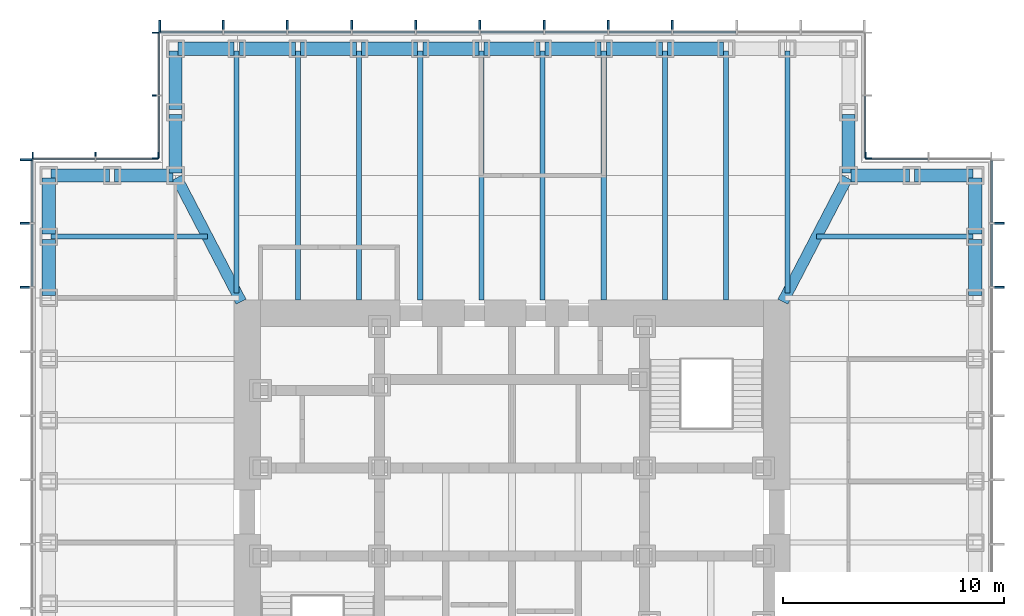
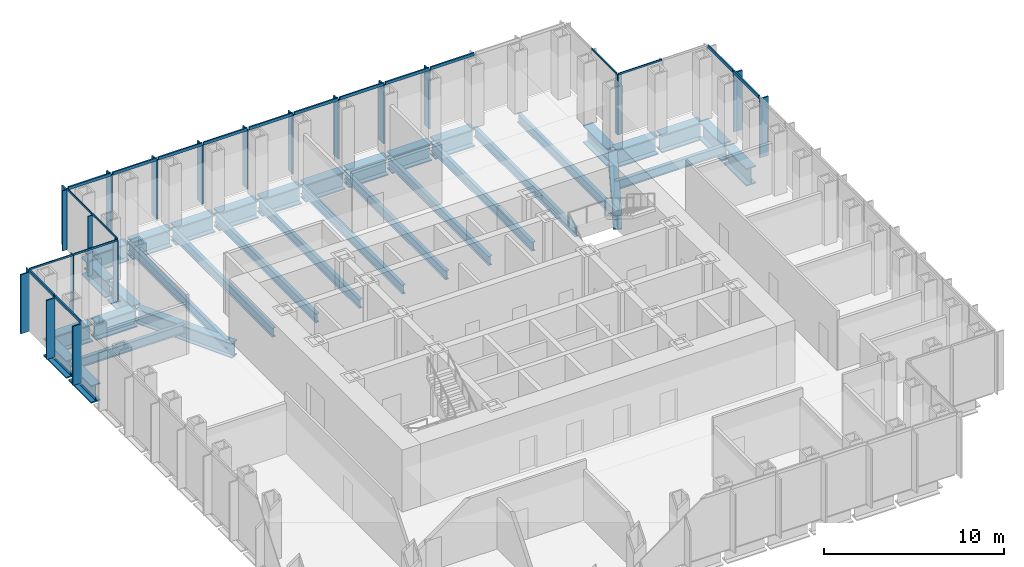
# One storey, part 5 of 16: 41 members, 34 beams, 7 elements without a shape of their own.
"""IFC4 building model written with IfcOpenShell, lengths in metres."""

from ifc_helpers import new_model, si_unit, direction, frame, origin, origin_2d, place, context, subcontext, project, spatial, rectangle, i_section, extrude, material, material_profile, profile_set, type_object, element, aggregate, save


model = new_model("IFC4")

# Units and contexts
model_context = context("Model", 3, precision=1e-05, world=origin(), true_north=direction((0.0, 1.0)))
body_context = subcontext(model_context, "Body", "Model", "MODEL_VIEW")
ifc_project = project(units=[si_unit("LENGTHUNIT", "METRE"), si_unit("AREAUNIT", "SQUARE_METRE"), si_unit("VOLUMEUNIT", "CUBIC_METRE"), si_unit("PLANEANGLEUNIT", "RADIAN"), si_unit("MASSUNIT", "GRAM", prefix="KILO")], contexts=[model_context])

# Site, building, storey
site_placement = place(None, origin())
site = spatial("IfcSite", under=ifc_project, at=site_placement, CompositionType="ELEMENT")
building_placement = place(site_placement, origin())
building = spatial("IfcBuilding", under=site, at=building_placement, Name="Daluyong Arena Tower", CompositionType="ELEMENT")
storey_placement = place(building_placement, frame((0.0, 0.0, 267.10009765625)))
storey = spatial("IfcBuildingStorey", under=building, at=storey_placement, Name="L60", CompositionType="ELEMENT", Elevation=267.10009765625)

# Curtain wall, members
ifc_material_1 = material(Name="Bronze anodised aluminium and glass", Category="aluminium")
curtain_wall_type_1 = type_object("IfcCurtainWallType", Name="Curtain wall CW4", PredefinedType="USERDEFINED", material=ifc_material_1)
curtain_wall_1_placement = place(storey_placement, origin())
curtain_wall_1 = element("IfcCurtainWall", 1, at=curtain_wall_1_placement, inside=storey, type_object=curtain_wall_type_1, Name="curtain wall L60 E", ObjectType="UNITISED CURTAIN WALL", PredefinedType="USERDEFINED")
ifc_material_2 = material(Name="Bronze anodised aluminium fin", Category="aluminium")
ifc_material_profile_1 = material_profile(ifc_material_2, rectangle(XDim=0.550048828125, YDim=0.090087890625, at=origin_2d()))
ifc_profile_set_1 = profile_set([ifc_material_profile_1], Name="Bronze anodised aluminium fin")
member_type_1 = type_object("IfcMemberType", Name="CW4 bronze fin 550x90", PredefinedType="MULLION", material=ifc_profile_set_1)
member_1_placement = place(storey_placement, frame((78.02490234375, 90.181884765625, 0.0), z_axis=(0.0, 0.0, 1.0), x_axis=(-1.0, 0.0, 0.0)))
member_1 = element("IfcMember", 2, at=member_1_placement, type_object=member_type_1, Name="curtain wall L60 E fin 10", PredefinedType="MULLION", context=body_context, shape_type="SweptSolid", body=[
    extrude(rectangle(XDim=0.550048828125, YDim=0.090087890625, at=origin_2d()), origin(), (0.0, 0.0, 1.0), 4.0),
])
member_2_placement = place(storey_placement, frame((78.02490234375, 93.0908203125, 0.0), z_axis=(0.0, 0.0, 1.0), x_axis=(-1.0, 0.0, 0.0)))
member_2 = element("IfcMember", 3, at=member_2_placement, type_object=member_type_1, Name="curtain wall L60 E fin 11", PredefinedType="MULLION", context=body_context, shape_type="SweptSolid", body=[
    extrude(rectangle(XDim=0.550048828125, YDim=0.090087890625, at=origin_2d()), origin(), (0.0, 0.0, 1.0), 4.0),
])

curtain_wall_2_placement = place(storey_placement, origin())
curtain_wall_2 = element("IfcCurtainWall", 4, at=curtain_wall_2_placement, inside=storey, type_object=curtain_wall_type_1, Name="curtain wall L60 N", ObjectType="UNITISED CURTAIN WALL", PredefinedType="USERDEFINED")
member_3_placement = place(storey_placement, frame((63.272705078125, 102.02490234375, 0.0), z_axis=(0.0, 0.0, 1.0), x_axis=(0.0, -1.0, 0.0)))
member_3 = element("IfcMember", 5, at=member_3_placement, type_object=member_type_1, Name="curtain wall L60 N fin 4", PredefinedType="MULLION", context=body_context, shape_type="SweptSolid", body=[
    extrude(rectangle(XDim=0.550048828125, YDim=0.090087890625, at=origin_2d()), origin(), (0.0, 0.0, 1.0), 4.0),
])
member_4_placement = place(storey_placement, frame((60.363525390625, 102.02490234375, 0.0), z_axis=(0.0, 0.0, 1.0), x_axis=(0.0, -1.0, 0.0)))
member_4 = element("IfcMember", 6, at=member_4_placement, type_object=member_type_1, Name="curtain wall L60 N fin 5", PredefinedType="MULLION", context=body_context, shape_type="SweptSolid", body=[
    extrude(rectangle(XDim=0.550048828125, YDim=0.090087890625, at=origin_2d()), origin(), (0.0, 0.0, 1.0), 4.0),
])
member_5_placement = place(storey_placement, frame((57.45458984375, 102.02490234375, 0.0), z_axis=(0.0, 0.0, 1.0), x_axis=(0.0, -1.0, 0.0)))
member_5 = element("IfcMember", 7, at=member_5_placement, type_object=member_type_1, Name="curtain wall L60 N fin 6", PredefinedType="MULLION", context=body_context, shape_type="SweptSolid", body=[
    extrude(rectangle(XDim=0.550048828125, YDim=0.090087890625, at=origin_2d()), origin(), (0.0, 0.0, 1.0), 4.0),
])
member_6_placement = place(storey_placement, frame((54.54541015625, 102.02490234375, 0.0), z_axis=(0.0, 0.0, 1.0), x_axis=(0.0, -1.0, 0.0)))
member_6 = element("IfcMember", 8, at=member_6_placement, type_object=member_type_1, Name="curtain wall L60 N fin 7", PredefinedType="MULLION", context=body_context, shape_type="SweptSolid", body=[
    extrude(rectangle(XDim=0.550048828125, YDim=0.090087890625, at=origin_2d()), origin(), (0.0, 0.0, 1.0), 4.0),
])
member_7_placement = place(storey_placement, frame((51.636474609375, 102.02490234375, 0.0), z_axis=(0.0, 0.0, 1.0), x_axis=(0.0, -1.0, 0.0)))
member_7 = element("IfcMember", 9, at=member_7_placement, type_object=member_type_1, Name="curtain wall L60 N fin 8", PredefinedType="MULLION", context=body_context, shape_type="SweptSolid", body=[
    extrude(rectangle(XDim=0.550048828125, YDim=0.090087890625, at=origin_2d()), origin(), (0.0, 0.0, 1.0), 4.0),
])
member_8_placement = place(storey_placement, frame((48.727294921875, 102.02490234375, 0.0), z_axis=(0.0, 0.0, 1.0), x_axis=(0.0, -1.0, 0.0)))
member_8 = element("IfcMember", 10, at=member_8_placement, type_object=member_type_1, Name="curtain wall L60 N fin 9", PredefinedType="MULLION", context=body_context, shape_type="SweptSolid", body=[
    extrude(rectangle(XDim=0.550048828125, YDim=0.090087890625, at=origin_2d()), origin(), (0.0, 0.0, 1.0), 4.0),
])
member_9_placement = place(storey_placement, frame((45.818115234375, 102.02490234375, 0.0), z_axis=(0.0, 0.0, 1.0), x_axis=(0.0, -1.0, 0.0)))
member_9 = element("IfcMember", 11, at=member_9_placement, type_object=member_type_1, Name="curtain wall L60 N fin 10", PredefinedType="MULLION", context=body_context, shape_type="SweptSolid", body=[
    extrude(rectangle(XDim=0.550048828125, YDim=0.090087890625, at=origin_2d()), origin(), (0.0, 0.0, 1.0), 4.0),
])
member_10_placement = place(storey_placement, frame((42.9091796875, 102.02490234375, 0.0), z_axis=(0.0, 0.0, 1.0), x_axis=(0.0, -1.0, 0.0)))
member_10 = element("IfcMember", 12, at=member_10_placement, type_object=member_type_1, Name="curtain wall L60 N fin 11", PredefinedType="MULLION", context=body_context, shape_type="SweptSolid", body=[
    extrude(rectangle(XDim=0.550048828125, YDim=0.090087890625, at=origin_2d()), origin(), (0.0, 0.0, 1.0), 4.0),
])
member_11_placement = place(storey_placement, frame((40.044921875, 102.02490234375, 0.0), z_axis=(0.0, 0.0, 1.0), x_axis=(0.0, -1.0, 0.0)))
member_11 = element("IfcMember", 13, at=member_11_placement, type_object=member_type_1, Name="curtain wall L60 N fin 12", PredefinedType="MULLION", context=body_context, shape_type="SweptSolid", body=[
    extrude(rectangle(XDim=0.550048828125, YDim=0.090087890625, at=origin_2d()), origin(), (0.0, 0.0, 1.0), 4.0),
])

curtain_wall_3_placement = place(storey_placement, origin())
curtain_wall_3 = element("IfcCurtainWall", 14, at=curtain_wall_3_placement, inside=storey, type_object=curtain_wall_type_1, Name="curtain wall L60 W", ObjectType="UNITISED CURTAIN WALL", PredefinedType="USERDEFINED")
member_12_placement = place(storey_placement, frame((33.97509765625, 95.955078125, 0.0), z_axis=(0.0, 0.0, 1.0), x_axis=(1.0, 0.0, 0.0)))
member_12 = element("IfcMember", 15, at=member_12_placement, type_object=member_type_1, Name="curtain wall L60 W fin 1", PredefinedType="MULLION", context=body_context, shape_type="SweptSolid", body=[
    extrude(rectangle(XDim=0.550048828125, YDim=0.090087890625, at=origin_2d()), origin(), (0.0, 0.0, 1.0), 4.0),
])
member_13_placement = place(storey_placement, frame((33.97509765625, 93.0908203125, 0.0), z_axis=(0.0, 0.0, 1.0), x_axis=(1.0, 0.0, 0.0)))
member_13 = element("IfcMember", 16, at=member_13_placement, type_object=member_type_1, Name="curtain wall L60 W fin 2", PredefinedType="MULLION", context=body_context, shape_type="SweptSolid", body=[
    extrude(rectangle(XDim=0.550048828125, YDim=0.090087890625, at=origin_2d()), origin(), (0.0, 0.0, 1.0), 4.0),
])
member_14_placement = place(storey_placement, frame((33.97509765625, 90.181884765625, 0.0), z_axis=(0.0, 0.0, 1.0), x_axis=(1.0, 0.0, 0.0)))
member_14 = element("IfcMember", 17, at=member_14_placement, type_object=member_type_1, Name="curtain wall L60 W fin 3", PredefinedType="MULLION", context=body_context, shape_type="SweptSolid", body=[
    extrude(rectangle(XDim=0.550048828125, YDim=0.090087890625, at=origin_2d()), origin(), (0.0, 0.0, 1.0), 4.0),
])

# Member
ifc_material_3 = material(Name="Bronze anodised aluminium", Category="aluminium")
ifc_material_profile_2 = material_profile(ifc_material_3, rectangle(XDim=0.090087890625, YDim=0.199951171875, at=origin_2d()))
ifc_profile_set_2 = profile_set([ifc_material_profile_2], Name="Bronze anodised aluminium")
member_type_2 = type_object("IfcMemberType", Name="CW4 stack transom 200x90", PredefinedType="USERDEFINED", material=ifc_profile_set_2)
member_15_placement = place(storey_placement, frame((77.75, 90.226806640625, 4.099853515625), z_axis=(0.0, 1.0, 0.0), x_axis=(-1.0, 0.0, 0.0)))
member_15 = element("IfcMember", 18, at=member_15_placement, type_object=member_type_2, Name="curtain wall L60 E transom 10", ObjectType="TRANSOM", PredefinedType="USERDEFINED", context=body_context, shape_type="SweptSolid", body=[
    extrude(rectangle(XDim=0.090087890625, YDim=0.199951171875, at=origin_2d()), origin(), (0.0, 0.0, 1.0), 2.819091796875),
])

member_16_placement = place(storey_placement, frame((77.75, 93.135986328125, 4.099853515625), z_axis=(0.0, 1.0, 0.0), x_axis=(-1.0, 0.0, 0.0)))
member_16 = element("IfcMember", 19, at=member_16_placement, type_object=member_type_2, Name="curtain wall L60 E transom 11", ObjectType="TRANSOM", PredefinedType="USERDEFINED", context=body_context, shape_type="SweptSolid", body=[
    extrude(rectangle(XDim=0.090087890625, YDim=0.199951171875, at=origin_2d()), origin(), (0.0, 0.0, 1.0), 2.77392578125),
])

aggregate(curtain_wall_1, [member_1, member_2, member_15, member_16])

member_17_placement = place(storey_placement, frame((66.13671875, 101.75, 4.099853515625), z_axis=(-1.0, 0.0, 0.0), x_axis=(0.0, -1.0, 0.0)))
member_17 = element("IfcMember", 20, at=member_17_placement, type_object=member_type_2, Name="curtain wall L60 N transom 3", ObjectType="TRANSOM", PredefinedType="USERDEFINED", context=body_context, shape_type="SweptSolid", body=[
    extrude(rectangle(XDim=0.090087890625, YDim=0.199951171875, at=origin_2d()), origin(), (0.0, 0.0, 1.0), 2.819091796875),
])

member_18_placement = place(storey_placement, frame((63.227783203125, 101.75, 4.099853515625), z_axis=(-1.0, 0.0, 0.0), x_axis=(0.0, -1.0, 0.0)))
member_18 = element("IfcMember", 21, at=member_18_placement, type_object=member_type_2, Name="curtain wall L60 N transom 4", ObjectType="TRANSOM", PredefinedType="USERDEFINED", context=body_context, shape_type="SweptSolid", body=[
    extrude(rectangle(XDim=0.090087890625, YDim=0.199951171875, at=origin_2d()), origin(), (0.0, 0.0, 1.0), 2.819091796875),
])

member_19_placement = place(storey_placement, frame((60.318603515625, 101.75, 4.099853515625), z_axis=(-1.0, 0.0, 0.0), x_axis=(0.0, -1.0, 0.0)))
member_19 = element("IfcMember", 22, at=member_19_placement, type_object=member_type_2, Name="curtain wall L60 N transom 5", ObjectType="TRANSOM", PredefinedType="USERDEFINED", context=body_context, shape_type="SweptSolid", body=[
    extrude(rectangle(XDim=0.090087890625, YDim=0.199951171875, at=origin_2d()), origin(), (0.0, 0.0, 1.0), 2.819091796875),
])

member_20_placement = place(storey_placement, frame((57.409423828125, 101.75, 4.099853515625), z_axis=(-1.0, 0.0, 0.0), x_axis=(0.0, -1.0, 0.0)))
member_20 = element("IfcMember", 23, at=member_20_placement, type_object=member_type_2, Name="curtain wall L60 N transom 6", ObjectType="TRANSOM", PredefinedType="USERDEFINED", context=body_context, shape_type="SweptSolid", body=[
    extrude(rectangle(XDim=0.090087890625, YDim=0.199951171875, at=origin_2d()), origin(), (0.0, 0.0, 1.0), 2.81884765625),
])

member_21_placement = place(storey_placement, frame((54.50048828125, 101.75, 4.099853515625), z_axis=(-1.0, 0.0, 0.0), x_axis=(0.0, -1.0, 0.0)))
member_21 = element("IfcMember", 24, at=member_21_placement, type_object=member_type_2, Name="curtain wall L60 N transom 7", ObjectType="TRANSOM", PredefinedType="USERDEFINED", context=body_context, shape_type="SweptSolid", body=[
    extrude(rectangle(XDim=0.090087890625, YDim=0.199951171875, at=origin_2d()), origin(), (0.0, 0.0, 1.0), 2.819091796875),
])

member_22_placement = place(storey_placement, frame((51.59130859375, 101.75, 4.099853515625), z_axis=(-1.0, 0.0, 0.0), x_axis=(0.0, -1.0, 0.0)))
member_22 = element("IfcMember", 25, at=member_22_placement, type_object=member_type_2, Name="curtain wall L60 N transom 8", ObjectType="TRANSOM", PredefinedType="USERDEFINED", context=body_context, shape_type="SweptSolid", body=[
    extrude(rectangle(XDim=0.090087890625, YDim=0.199951171875, at=origin_2d()), origin(), (0.0, 0.0, 1.0), 2.819091796875),
])

member_23_placement = place(storey_placement, frame((48.682373046875, 101.75, 4.099853515625), z_axis=(-1.0, 0.0, 0.0), x_axis=(0.0, -1.0, 0.0)))
member_23 = element("IfcMember", 26, at=member_23_placement, type_object=member_type_2, Name="curtain wall L60 N transom 9", ObjectType="TRANSOM", PredefinedType="USERDEFINED", context=body_context, shape_type="SweptSolid", body=[
    extrude(rectangle(XDim=0.090087890625, YDim=0.199951171875, at=origin_2d()), origin(), (0.0, 0.0, 1.0), 2.819091796875),
])

member_24_placement = place(storey_placement, frame((45.773193359375, 101.75, 4.099853515625), z_axis=(-1.0, 0.0, 0.0), x_axis=(0.0, -1.0, 0.0)))
member_24 = element("IfcMember", 27, at=member_24_placement, type_object=member_type_2, Name="curtain wall L60 N transom 10", ObjectType="TRANSOM", PredefinedType="USERDEFINED", context=body_context, shape_type="SweptSolid", body=[
    extrude(rectangle(XDim=0.090087890625, YDim=0.199951171875, at=origin_2d()), origin(), (0.0, 0.0, 1.0), 2.819091796875),
])

member_25_placement = place(storey_placement, frame((42.864013671875, 101.75, 4.099853515625), z_axis=(-1.0, 0.0, 0.0), x_axis=(0.0, -1.0, 0.0)))
member_25 = element("IfcMember", 28, at=member_25_placement, type_object=member_type_2, Name="curtain wall L60 N transom 11", ObjectType="TRANSOM", PredefinedType="USERDEFINED", context=body_context, shape_type="SweptSolid", body=[
    extrude(rectangle(XDim=0.090087890625, YDim=0.199951171875, at=origin_2d()), origin(), (0.0, 0.0, 1.0), 2.77392578125),
])

aggregate(curtain_wall_2, [member_3, member_4, member_5, member_6, member_7, member_8, member_9, member_10, member_11, member_17, member_18, member_19, member_20, member_21, member_22, member_23, member_24, member_25])

member_26_placement = place(storey_placement, frame((34.25, 95.909912109375, 4.099853515625), z_axis=(0.0, -1.0, 0.0), x_axis=(1.0, 0.0, 0.0)))
member_26 = element("IfcMember", 29, at=member_26_placement, type_object=member_type_2, Name="curtain wall L60 W transom 1", ObjectType="TRANSOM", PredefinedType="USERDEFINED", context=body_context, shape_type="SweptSolid", body=[
    extrude(rectangle(XDim=0.090087890625, YDim=0.199951171875, at=origin_2d()), origin(), (0.0, 0.0, 1.0), 2.77392578125),
])

member_27_placement = place(storey_placement, frame((34.25, 93.0458984375, 4.099853515625), z_axis=(0.0, -1.0, 0.0), x_axis=(1.0, 0.0, 0.0)))
member_27 = element("IfcMember", 30, at=member_27_placement, type_object=member_type_2, Name="curtain wall L60 W transom 2", ObjectType="TRANSOM", PredefinedType="USERDEFINED", context=body_context, shape_type="SweptSolid", body=[
    extrude(rectangle(XDim=0.090087890625, YDim=0.199951171875, at=origin_2d()), origin(), (0.0, 0.0, 1.0), 2.819091796875),
])

aggregate(curtain_wall_3, [member_12, member_13, member_14, member_26, member_27])

# Curtain wall, member
ifc_material_4 = material(Name="Bronze anodised aluminium and glass", Category="aluminium")
curtain_wall_type_2 = type_object("IfcCurtainWallType", Name="Curtain wall CW7", PredefinedType="USERDEFINED", material=ifc_material_4)
curtain_wall_4_placement = place(storey_placement, origin())
curtain_wall_4 = element("IfcCurtainWall", 31, at=curtain_wall_4_placement, inside=storey, type_object=curtain_wall_type_2, Name="curtain wall L60 NE-N", ObjectType="UNITISED CURTAIN WALL", PredefinedType="USERDEFINED")
ifc_material_5 = material(Name="Bronze anodised aluminium fin", Category="aluminium")
ifc_material_profile_3 = material_profile(ifc_material_5, rectangle(XDim=0.300048828125, YDim=0.06005859375, at=origin_2d()))
ifc_profile_set_3 = profile_set([ifc_material_profile_3], Name="Bronze anodised aluminium fin")
member_type_3 = type_object("IfcMemberType", Name="CW7 bronze fin 300x60", PredefinedType="MULLION", material=ifc_profile_set_3)
member_28_placement = place(storey_placement, frame((72.030029296875, 96.14990234375, 0.0), z_axis=(0.0, 0.0, 1.0), x_axis=(0.0, -1.0, 0.0)))
member_28 = element("IfcMember", 32, at=member_28_placement, type_object=member_type_3, Name="curtain wall L60 NE-N fin 3", PredefinedType="MULLION", context=body_context, shape_type="SweptSolid", body=[
    extrude(rectangle(XDim=0.300048828125, YDim=0.06005859375, at=origin_2d()), origin(), (0.0, 0.0, 1.0), 4.079833984375),
])

curtain_wall_5_placement = place(storey_placement, origin())
curtain_wall_5 = element("IfcCurtainWall", 33, at=curtain_wall_5_placement, inside=storey, type_object=curtain_wall_type_2, Name="curtain wall L60 NE-E", ObjectType="UNITISED CURTAIN WALL", PredefinedType="USERDEFINED")
member_29_placement = place(storey_placement, frame((72.14990234375, 96.030029296875, 0.0), z_axis=(0.0, 0.0, 1.0), x_axis=(-1.0, 0.0, 0.0)))
member_29 = element("IfcMember", 34, at=member_29_placement, type_object=member_type_3, Name="curtain wall L60 NE-E fin 1", PredefinedType="MULLION", context=body_context, shape_type="SweptSolid", body=[
    extrude(rectangle(XDim=0.300048828125, YDim=0.06005859375, at=origin_2d()), origin(), (0.0, 0.0, 1.0), 4.079833984375),
])

# Curtain wall, members
curtain_wall_6_placement = place(storey_placement, origin())
curtain_wall_6 = element("IfcCurtainWall", 35, at=curtain_wall_6_placement, inside=storey, type_object=curtain_wall_type_2, Name="curtain wall L60 NW-W", ObjectType="UNITISED CURTAIN WALL", PredefinedType="USERDEFINED")
member_30_placement = place(storey_placement, frame((39.85009765625, 101.719970703125, 0.0), z_axis=(0.0, 0.0, 1.0), x_axis=(1.0, 0.0, 0.0)))
member_30 = element("IfcMember", 36, at=member_30_placement, type_object=member_type_3, Name="curtain wall L60 NW-W fin 1", PredefinedType="MULLION", context=body_context, shape_type="SweptSolid", body=[
    extrude(rectangle(XDim=0.300048828125, YDim=0.06005859375, at=origin_2d()), origin(), (0.0, 0.0, 1.0), 4.079833984375),
])
member_31_placement = place(storey_placement, frame((39.85009765625, 98.875, 0.0), z_axis=(0.0, 0.0, 1.0), x_axis=(1.0, 0.0, 0.0)))
member_31 = element("IfcMember", 37, at=member_31_placement, type_object=member_type_3, Name="curtain wall L60 NW-W fin 2", PredefinedType="MULLION", context=body_context, shape_type="SweptSolid", body=[
    extrude(rectangle(XDim=0.300048828125, YDim=0.06005859375, at=origin_2d()), origin(), (0.0, 0.0, 1.0), 4.079833984375),
])
member_32_placement = place(storey_placement, frame((39.85009765625, 96.030029296875, 0.0), z_axis=(0.0, 0.0, 1.0), x_axis=(1.0, 0.0, 0.0)))
member_32 = element("IfcMember", 38, at=member_32_placement, type_object=member_type_3, Name="curtain wall L60 NW-W fin 3", PredefinedType="MULLION", context=body_context, shape_type="SweptSolid", body=[
    extrude(rectangle(XDim=0.300048828125, YDim=0.06005859375, at=origin_2d()), origin(), (0.0, 0.0, 1.0), 4.079833984375),
])

curtain_wall_7_placement = place(storey_placement, origin())
curtain_wall_7 = element("IfcCurtainWall", 39, at=curtain_wall_7_placement, inside=storey, type_object=curtain_wall_type_2, Name="curtain wall L60 NW-N", ObjectType="UNITISED CURTAIN WALL", PredefinedType="USERDEFINED")
member_33_placement = place(storey_placement, frame((39.969970703125, 96.14990234375, 0.0), z_axis=(0.0, 0.0, 1.0), x_axis=(0.0, -1.0, 0.0)))
member_33 = element("IfcMember", 40, at=member_33_placement, type_object=member_type_3, Name="curtain wall L60 NW-N fin 1", PredefinedType="MULLION", context=body_context, shape_type="SweptSolid", body=[
    extrude(rectangle(XDim=0.300048828125, YDim=0.06005859375, at=origin_2d()), origin(), (0.0, 0.0, 1.0), 4.079833984375),
])
member_34_placement = place(storey_placement, frame((37.125, 96.14990234375, 0.0), z_axis=(0.0, 0.0, 1.0), x_axis=(0.0, -1.0, 0.0)))
member_34 = element("IfcMember", 41, at=member_34_placement, type_object=member_type_3, Name="curtain wall L60 NW-N fin 2", PredefinedType="MULLION", context=body_context, shape_type="SweptSolid", body=[
    extrude(rectangle(XDim=0.300048828125, YDim=0.06005859375, at=origin_2d()), origin(), (0.0, 0.0, 1.0), 4.079833984375),
])
member_35_placement = place(storey_placement, frame((34.280029296875, 96.14990234375, 0.0), z_axis=(0.0, 0.0, 1.0), x_axis=(0.0, -1.0, 0.0)))
member_35 = element("IfcMember", 42, at=member_35_placement, type_object=member_type_3, Name="curtain wall L60 NW-N fin 3", PredefinedType="MULLION", context=body_context, shape_type="SweptSolid", body=[
    extrude(rectangle(XDim=0.300048828125, YDim=0.06005859375, at=origin_2d()), origin(), (0.0, 0.0, 1.0), 4.079833984375),
])

# Member
ifc_material_6 = material(Name="Bronze anodised aluminium", Category="aluminium")
ifc_material_profile_4 = material_profile(ifc_material_6, rectangle(XDim=0.06005859375, YDim=0.1201171875, at=origin_2d()))
ifc_profile_set_4 = profile_set([ifc_material_profile_4], Name="Bronze anodised aluminium")
member_type_4 = type_object("IfcMemberType", Name="CW7 stack transom 120x60", PredefinedType="USERDEFINED", material=ifc_profile_set_4)
member_36_placement = place(storey_placement, frame((74.844970703125, 96.0, 4.139892578125), z_axis=(-1.0, 0.0, 0.0), x_axis=(0.0, -1.0, 0.0)))
member_36 = element("IfcMember", 43, at=member_36_placement, type_object=member_type_4, Name="curtain wall L60 NE-N transom 2", ObjectType="TRANSOM", PredefinedType="USERDEFINED", context=body_context, shape_type="SweptSolid", body=[
    extrude(rectangle(XDim=0.06005859375, YDim=0.1201171875, at=origin_2d()), origin(), (0.0, 0.0, 1.0), 2.784912109375),
])

aggregate(curtain_wall_4, [member_28, member_36])

member_37_placement = place(storey_placement, frame((72.0, 96.06005859375, 4.139892578125), z_axis=(0.0, 1.0, 0.0), x_axis=(-1.0, 0.0, 0.0)))
member_37 = element("IfcMember", 44, at=member_37_placement, type_object=member_type_4, Name="curtain wall L60 NE-E transom 1", ObjectType="TRANSOM", PredefinedType="USERDEFINED", context=body_context, shape_type="SweptSolid", body=[
    extrude(rectangle(XDim=0.06005859375, YDim=0.1201171875, at=origin_2d()), origin(), (0.0, 0.0, 1.0), 2.784912109375),
])

aggregate(curtain_wall_5, [member_29, member_37])

member_38_placement = place(storey_placement, frame((40.0, 101.68994140625, 4.139892578125), z_axis=(0.0, -1.0, 0.0), x_axis=(1.0, 0.0, 0.0)))
member_38 = element("IfcMember", 45, at=member_38_placement, type_object=member_type_4, Name="curtain wall L60 NW-W transom 1", ObjectType="TRANSOM", PredefinedType="USERDEFINED", context=body_context, shape_type="SweptSolid", body=[
    extrude(rectangle(XDim=0.06005859375, YDim=0.1201171875, at=origin_2d()), origin(), (0.0, 0.0, 1.0), 2.784912109375),
])

member_39_placement = place(storey_placement, frame((40.0, 98.844970703125, 4.139892578125), z_axis=(0.0, -1.0, 0.0), x_axis=(1.0, 0.0, 0.0)))
member_39 = element("IfcMember", 46, at=member_39_placement, type_object=member_type_4, Name="curtain wall L60 NW-W transom 2", ObjectType="TRANSOM", PredefinedType="USERDEFINED", context=body_context, shape_type="SweptSolid", body=[
    extrude(rectangle(XDim=0.06005859375, YDim=0.1201171875, at=origin_2d()), origin(), (0.0, 0.0, 1.0), 2.784912109375),
])

aggregate(curtain_wall_6, [member_30, member_31, member_32, member_38, member_39])

member_40_placement = place(storey_placement, frame((39.93994140625, 96.0, 4.139892578125), z_axis=(-1.0, 0.0, 0.0), x_axis=(0.0, -1.0, 0.0)))
member_40 = element("IfcMember", 47, at=member_40_placement, type_object=member_type_4, Name="curtain wall L60 NW-N transom 1", ObjectType="TRANSOM", PredefinedType="USERDEFINED", context=body_context, shape_type="SweptSolid", body=[
    extrude(rectangle(XDim=0.06005859375, YDim=0.1201171875, at=origin_2d()), origin(), (0.0, 0.0, 1.0), 2.784912109375),
])

member_41_placement = place(storey_placement, frame((37.094970703125, 96.0, 4.139892578125), z_axis=(-1.0, 0.0, 0.0), x_axis=(0.0, -1.0, 0.0)))
member_41 = element("IfcMember", 48, at=member_41_placement, type_object=member_type_4, Name="curtain wall L60 NW-N transom 2", ObjectType="TRANSOM", PredefinedType="USERDEFINED", context=body_context, shape_type="SweptSolid", body=[
    extrude(rectangle(XDim=0.06005859375, YDim=0.1201171875, at=origin_2d()), origin(), (0.0, 0.0, 1.0), 2.784912109375),
])

aggregate(curtain_wall_7, [member_33, member_34, member_35, member_40, member_41])

# Beams
ifc_material_7 = material(Name="Steel ASTM A572 Grade 50", Category="steel")
ifc_material_profile_5 = material_profile(ifc_material_7, i_section(OverallWidth=0.5, OverallDepth=1.0, WebThickness=0.03, FlangeThickness=0.06, at=origin_2d()))
ifc_profile_set_5 = profile_set([ifc_material_profile_5], Name="Steel ASTM A572 Grade 50")
beam_type_1 = type_object("IfcBeamType", Name="Corner girder TB1000X500", PredefinedType="BEAM", material=ifc_profile_set_5)
for number, where, z_axis, x_axis, name in (
    (49, (71.197021484375, 95.14794921875, -0.66015625), (-0.461351522179, -0.887217432754, 0.0), (0.887217432754, -0.461351522179, 0.0), "corner girder DG2"),
    (50, (40.802978515625, 95.14794921875, -0.66015625), (0.461351522179, -0.887217432754, 0.0), (0.887217432754, 0.461351522179, 0.0), "corner girder DG2"),
):
    element("IfcBeam", number, at=place(storey_placement, frame(where, z_axis=z_axis, x_axis=x_axis)), inside=storey, type_object=beam_type_1, Name=name, PredefinedType="BEAM", context=body_context, shape_type="SweptSolid", body=[
        extrude(i_section(OverallWidth=0.5, OverallDepth=1.0, WebThickness=0.03, FlangeThickness=0.06, at=origin_2d()), origin(), (0.0, 0.0, 1.0), 6.32958984375),
    ])
ifc_material_8 = material(Name="Steel ASTM A992 Grade 50", Category="steel")
ifc_material_profile_6 = material_profile(ifc_material_8, i_section(OverallWidth=0.22900390625, OverallDepth=0.612060546875, WebThickness=0.011962890625, FlangeThickness=0.01953125, at=origin_2d()))
ifc_profile_set_6 = profile_set([ifc_material_profile_6], Name="Steel ASTM A992 Grade 50")
beam_type_2 = type_object("IfcBeamType", Name="Floor beam W24X84", PredefinedType="BEAM", material=ifc_profile_set_6)
beam_1_placement = place(storey_placement, frame((76.885009765625, 92.477294921875, -0.466064453125), z_axis=(-1.0, 0.0, 0.0), x_axis=(0.0, -1.0, 0.0)))
element("IfcBeam", 51, at=beam_1_placement, inside=storey, type_object=beam_type_2, Name="floor beam FB3", PredefinedType="BEAM", context=body_context, shape_type="SweptSolid", body=[
    extrude(i_section(OverallWidth=0.22900390625, OverallDepth=0.612060546875, WebThickness=0.011962890625, FlangeThickness=0.01953125, at=origin_2d()), origin(), (0.0, 0.0, 1.0), 7.076904296875),
])
beam_2_placement = place(storey_placement, frame((68.477294921875, 100.885009765625, -0.466064453125), z_axis=(0.0, -1.0, 0.0), x_axis=(1.0, 0.0, 0.0)))
element("IfcBeam", 52, at=beam_2_placement, inside=storey, type_object=beam_type_2, Name="floor beam FB3", PredefinedType="BEAM", context=body_context, shape_type="SweptSolid", body=[
    extrude(i_section(OverallWidth=0.22900390625, OverallDepth=0.612060546875, WebThickness=0.011962890625, FlangeThickness=0.01953125, at=origin_2d()), origin(), (0.0, 0.0, 1.0), 10.96728515625),
])
for number, where, z_axis, x_axis, name in (
    (53, (65.70458984375, 100.885009765625, -0.466064453125), (0.0, -1.0, 0.0), (1.0, 0.0, 0.0), "floor beam FB3"),
    (54, (62.931884765625, 100.885009765625, -0.466064453125), (0.0, -1.0, 0.0), (1.0, 0.0, 0.0), "floor beam FB3"),
    (55, (60.1591796875, 100.885009765625, -0.466064453125), (0.0, -1.0, 0.0), (1.0, 0.0, 0.0), "floor beam FB3"),
    (56, (57.386474609375, 100.885009765625, -0.466064453125), (0.0, -1.0, 0.0), (1.0, 0.0, 0.0), "floor beam FB3"),
    (57, (54.613525390625, 100.885009765625, -0.466064453125), (0.0, -1.0, 0.0), (1.0, 0.0, 0.0), "floor beam FB3"),
    (58, (51.8408203125, 100.885009765625, -0.466064453125), (0.0, -1.0, 0.0), (1.0, 0.0, 0.0), "floor beam FB3"),
    (59, (49.068115234375, 100.885009765625, -0.466064453125), (0.0, -1.0, 0.0), (1.0, 0.0, 0.0), "floor beam FB3"),
    (60, (46.29541015625, 100.885009765625, -0.466064453125), (0.0, -1.0, 0.0), (1.0, 0.0, 0.0), "floor beam FB3"),
):
    element("IfcBeam", number, at=place(storey_placement, frame(where, z_axis=z_axis, x_axis=x_axis)), inside=storey, type_object=beam_type_2, Name=name, PredefinedType="BEAM", context=body_context, shape_type="SweptSolid", body=[
        extrude(i_section(OverallWidth=0.22900390625, OverallDepth=0.612060546875, WebThickness=0.011962890625, FlangeThickness=0.01953125, at=origin_2d()), origin(), (0.0, 0.0, 1.0), 11.284912109375),
    ])
beam_3_placement = place(storey_placement, frame((43.522705078125, 100.885009765625, -0.466064453125), z_axis=(0.0, -1.0, 0.0), x_axis=(1.0, 0.0, 0.0)))
element("IfcBeam", 61, at=beam_3_placement, inside=storey, type_object=beam_type_2, Name="floor beam FB3", PredefinedType="BEAM", context=body_context, shape_type="SweptSolid", body=[
    extrude(i_section(OverallWidth=0.22900390625, OverallDepth=0.612060546875, WebThickness=0.011962890625, FlangeThickness=0.01953125, at=origin_2d()), origin(), (0.0, 0.0, 1.0), 10.96728515625),
])
beam_4_placement = place(storey_placement, frame((35.114990234375, 92.477294921875, -0.466064453125), z_axis=(1.0, 0.0, 0.0), x_axis=(0.0, 1.0, 0.0)))
element("IfcBeam", 62, at=beam_4_placement, inside=storey, type_object=beam_type_2, Name="floor beam FB3", PredefinedType="BEAM", context=body_context, shape_type="SweptSolid", body=[
    extrude(i_section(OverallWidth=0.22900390625, OverallDepth=0.612060546875, WebThickness=0.011962890625, FlangeThickness=0.01953125, at=origin_2d()), origin(), (0.0, 0.0, 1.0), 7.076904296875),
])
ifc_material_9 = material(Name="Steel ASTM A572 Grade 50", Category="steel")
ifc_material_profile_7 = material_profile(ifc_material_9, i_section(OverallWidth=0.60009765625, OverallDepth=1.199951171875, WebThickness=0.03, FlangeThickness=0.08, at=origin_2d()))
ifc_profile_set_7 = profile_set([ifc_material_profile_7], Name="Steel ASTM A572 Grade 50")
beam_type_3 = type_object("IfcBeamType", Name="Spandrel Z4 PG1200X600", PredefinedType="SPANDREL", material=ifc_profile_set_7)
for number, where, z_axis, x_axis, name in (
    (63, (77.0, 89.819580078125, -0.760009765625), (0.0, 1.0, 0.0), (-1.0, 0.0, 0.0), "spandrel z4 SB9"),
    (64, (77.0, 92.59228515625, -0.760009765625), (0.0, 1.0, 0.0), (-1.0, 0.0, 0.0), "spandrel z4 SB9"),
):
    element("IfcBeam", number, at=place(storey_placement, frame(where, z_axis=z_axis, x_axis=x_axis)), inside=storey, type_object=beam_type_3, Name=name, PredefinedType="SPANDREL", context=body_context, shape_type="SweptSolid", body=[
        extrude(i_section(OverallWidth=0.60009765625, OverallDepth=1.199951171875, WebThickness=0.03, FlangeThickness=0.08, at=origin_2d()), origin(), (0.0, 0.0, 1.0), 2.542724609375),
    ])
for number, where, z_axis, x_axis, name in (
    (65, (76.885009765625, 95.25, -0.760009765625), (-1.0, 0.0, 0.0), (0.0, -1.0, 0.0), "spandrel z4 SB9"),
    (66, (74.010009765625, 95.25, -0.760009765625), (-1.0, 0.0, 0.0), (0.0, -1.0, 0.0), "spandrel z4 SB9"),
    (67, (71.25, 95.364990234375, -0.760009765625), (0.0, 1.0, 0.0), (-1.0, 0.0, 0.0), "spandrel z4 SB9"),
):
    element("IfcBeam", number, at=place(storey_placement, frame(where, z_axis=z_axis, x_axis=x_axis)), inside=storey, type_object=beam_type_3, Name=name, PredefinedType="SPANDREL", context=body_context, shape_type="SweptSolid", body=[
        extrude(i_section(OverallWidth=0.60009765625, OverallDepth=1.199951171875, WebThickness=0.03, FlangeThickness=0.08, at=origin_2d()), origin(), (0.0, 0.0, 1.0), 2.64501953125),
    ])
for number, where, z_axis, x_axis, name in (
    (68, (65.589599609375, 101.0, -0.760009765625), (-1.0, 0.0, 0.0), (0.0, -1.0, 0.0), "spandrel z4 SB9"),
    (69, (62.81689453125, 101.0, -0.760009765625), (-1.0, 0.0, 0.0), (0.0, -1.0, 0.0), "spandrel z4 SB9"),
    (70, (60.044189453125, 101.0, -0.760009765625), (-1.0, 0.0, 0.0), (0.0, -1.0, 0.0), "spandrel z4 SB9"),
):
    element("IfcBeam", number, at=place(storey_placement, frame(where, z_axis=z_axis, x_axis=x_axis)), inside=storey, type_object=beam_type_3, Name=name, PredefinedType="SPANDREL", context=body_context, shape_type="SweptSolid", body=[
        extrude(i_section(OverallWidth=0.60009765625, OverallDepth=1.199951171875, WebThickness=0.03, FlangeThickness=0.08, at=origin_2d()), origin(), (0.0, 0.0, 1.0), 2.542724609375),
    ])
beam_5_placement = place(storey_placement, frame((57.271484375, 101.0, -0.760009765625), z_axis=(-1.0, 0.0, 0.0), x_axis=(0.0, -1.0, 0.0)))
element("IfcBeam", 71, at=beam_5_placement, inside=storey, type_object=beam_type_3, Name="spandrel z4 SB9", PredefinedType="SPANDREL", context=body_context, shape_type="SweptSolid", body=[
    extrude(i_section(OverallWidth=0.60009765625, OverallDepth=1.199951171875, WebThickness=0.03, FlangeThickness=0.08, at=origin_2d()), origin(), (0.0, 0.0, 1.0), 2.54296875),
])
for number, where, z_axis, x_axis, name in (
    (72, (54.49853515625, 101.0, -0.760009765625), (-1.0, 0.0, 0.0), (0.0, -1.0, 0.0), "spandrel z4 SB9"),
    (73, (51.725830078125, 101.0, -0.760009765625), (-1.0, 0.0, 0.0), (0.0, -1.0, 0.0), "spandrel z4 SB9"),
    (74, (48.953125, 101.0, -0.760009765625), (-1.0, 0.0, 0.0), (0.0, -1.0, 0.0), "spandrel z4 SB9"),
    (75, (46.180419921875, 101.0, -0.760009765625), (-1.0, 0.0, 0.0), (0.0, -1.0, 0.0), "spandrel z4 SB9"),
    (76, (43.40771484375, 101.0, -0.760009765625), (-1.0, 0.0, 0.0), (0.0, -1.0, 0.0), "spandrel z4 SB9"),
):
    element("IfcBeam", number, at=place(storey_placement, frame(where, z_axis=z_axis, x_axis=x_axis)), inside=storey, type_object=beam_type_3, Name=name, PredefinedType="SPANDREL", context=body_context, shape_type="SweptSolid", body=[
        extrude(i_section(OverallWidth=0.60009765625, OverallDepth=1.199951171875, WebThickness=0.03, FlangeThickness=0.08, at=origin_2d()), origin(), (0.0, 0.0, 1.0), 2.542724609375),
    ])
for number, where, z_axis, x_axis, name in (
    (77, (40.75, 100.885009765625, -0.760009765625), (0.0, -1.0, 0.0), (1.0, 0.0, 0.0), "spandrel z4 SB9"),
    (78, (40.75, 98.010009765625, -0.760009765625), (0.0, -1.0, 0.0), (1.0, 0.0, 0.0), "spandrel z4 SB9"),
    (79, (40.635009765625, 95.25, -0.760009765625), (-1.0, 0.0, 0.0), (0.0, -1.0, 0.0), "spandrel z4 SB9"),
    (80, (37.760009765625, 95.25, -0.760009765625), (-1.0, 0.0, 0.0), (0.0, -1.0, 0.0), "spandrel z4 SB9"),
):
    element("IfcBeam", number, at=place(storey_placement, frame(where, z_axis=z_axis, x_axis=x_axis)), inside=storey, type_object=beam_type_3, Name=name, PredefinedType="SPANDREL", context=body_context, shape_type="SweptSolid", body=[
        extrude(i_section(OverallWidth=0.60009765625, OverallDepth=1.199951171875, WebThickness=0.03, FlangeThickness=0.08, at=origin_2d()), origin(), (0.0, 0.0, 1.0), 2.64501953125),
    ])
for number, where, z_axis, x_axis, name in (
    (81, (35.0, 95.135009765625, -0.760009765625), (0.0, -1.0, 0.0), (1.0, 0.0, 0.0), "spandrel z4 SB9"),
    (82, (35.0, 92.3623046875, -0.760009765625), (0.0, -1.0, 0.0), (1.0, 0.0, 0.0), "spandrel z4 SB9"),
):
    element("IfcBeam", number, at=place(storey_placement, frame(where, z_axis=z_axis, x_axis=x_axis)), inside=storey, type_object=beam_type_3, Name=name, PredefinedType="SPANDREL", context=body_context, shape_type="SweptSolid", body=[
        extrude(i_section(OverallWidth=0.60009765625, OverallDepth=1.199951171875, WebThickness=0.03, FlangeThickness=0.08, at=origin_2d()), origin(), (0.0, 0.0, 1.0), 2.542724609375),
    ])

save(model, "model.ifc")
